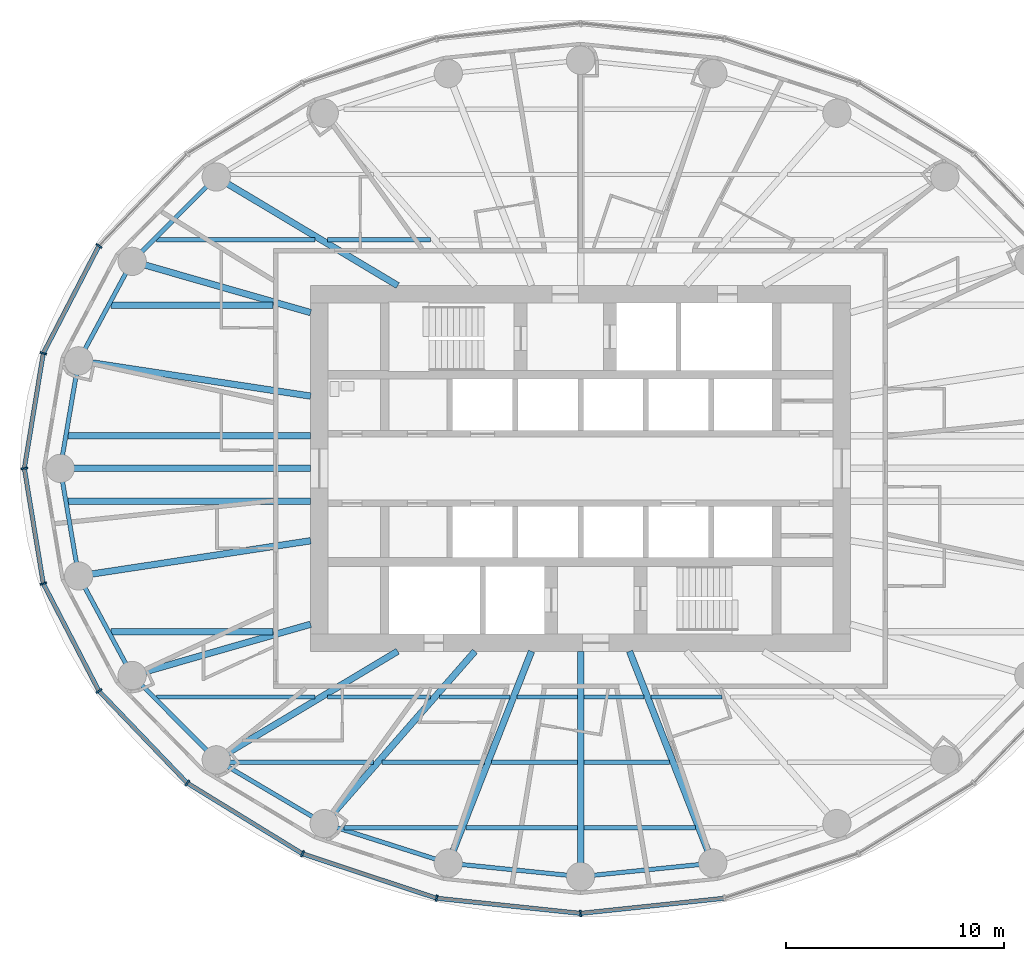
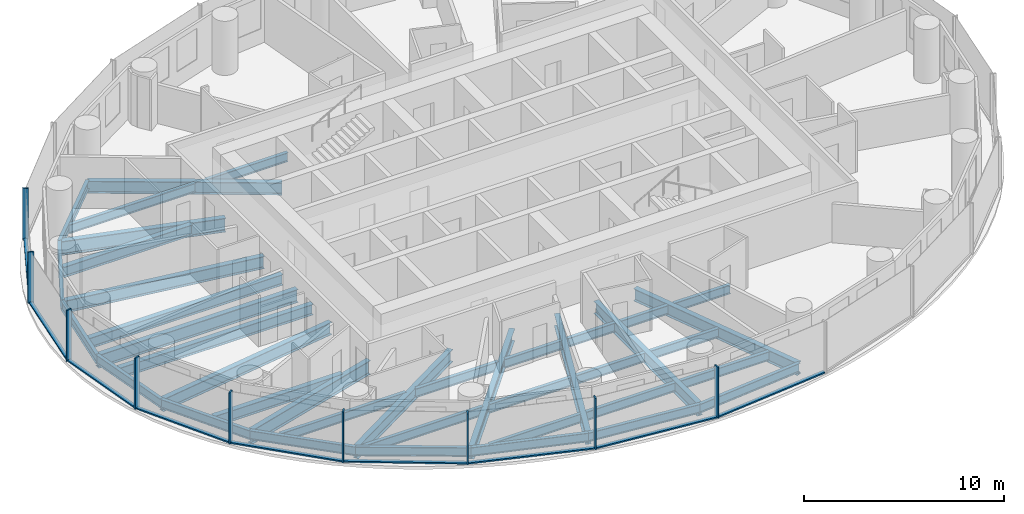
# One storey, part 2 of 14: 40 beams, 18 members, 3 elements without a shape of their own.
"""IFC4 building model written with IfcOpenShell, lengths in metres."""

from ifc_helpers import new_model, si_unit, direction, frame, origin, origin_2d, place, context, subcontext, project, spatial, rectangle, i_section, extrude, material, material_profile, profile_set, type_object, element, aggregate, save


model = new_model("IFC4")

# Units and contexts
model_context = context("Model", 3, precision=1e-05, world=origin(), true_north=direction((0.0, 1.0)))
body_context = subcontext(model_context, "Body", "Model", "MODEL_VIEW")
ifc_project = project(units=[si_unit("LENGTHUNIT", "METRE"), si_unit("AREAUNIT", "SQUARE_METRE"), si_unit("VOLUMEUNIT", "CUBIC_METRE"), si_unit("PLANEANGLEUNIT", "RADIAN"), si_unit("MASSUNIT", "GRAM", prefix="KILO")], contexts=[model_context])

# Site, building, storey
site_placement = place(None, origin())
site = spatial("IfcSite", under=ifc_project, at=site_placement, CompositionType="ELEMENT")
building_placement = place(site_placement, origin())
building = spatial("IfcBuilding", under=site, at=building_placement, Name="Hankou Lantern Tower", CompositionType="ELEMENT")
storey_placement = place(building_placement, frame((0.0, 0.0, 112.199951171875)))
storey = spatial("IfcBuildingStorey", under=building, at=storey_placement, Name="L28", CompositionType="ELEMENT", Elevation=112.199951171875)

# Beams
ifc_material_1 = material(Name="Steel Q355B", Category="steel")
ifc_material_profile_1 = material_profile(ifc_material_1, i_section(OverallWidth=0.199951171875, OverallDepth=0.550048828125, WebThickness=0.010009765625, FlangeThickness=0.01611328125, FilletRadius=0.012939453125, at=origin_2d()), Name="HN550x200x10x16")
ifc_profile_set_1 = profile_set([ifc_material_profile_1], Name="Steel Q355B")
beam_type_1 = type_object("IfcBeamType", Name="EB6 RING BEAM HN550x200x10x16", PredefinedType="SPANDREL", material=ifc_profile_set_1)
beam_1_placement = place(storey_placement, frame((-16.73388671875, 13.38720703125, -0.454833984375), z_axis=(-0.705945468625, -0.708266189599, 0.0), x_axis=(0.708266189599, -0.705945468625, 0.0)))
element("IfcBeam", 1, at=beam_1_placement, inside=storey, type_object=beam_type_1, Name="Ring beam R10-R11 L28", PredefinedType="SPANDREL", context=body_context, shape_type="SweptSolid", body=[
    extrude(i_section(OverallWidth=0.199951171875, OverallDepth=0.550048828125, WebThickness=0.010009765625, FlangeThickness=0.01611328125, FilletRadius=0.012939453125, at=origin_2d()), origin(), (0.0, 0.0, 1.0), 5.470458984375),
])
beam_2_placement = place(storey_placement, frame((-20.595703125, 9.5126953125, -0.454833984375), z_axis=(-0.473824901673, -0.880619079145, 0.0), x_axis=(0.880619079145, -0.473824901673, 0.0)))
element("IfcBeam", 2, at=beam_2_placement, inside=storey, type_object=beam_type_1, Name="Ring beam R11-R12 L28", PredefinedType="SPANDREL", context=body_context, shape_type="SweptSolid", body=[
    extrude(i_section(OverallWidth=0.199951171875, OverallDepth=0.550048828125, WebThickness=0.010009765625, FlangeThickness=0.01611328125, FilletRadius=0.012939453125, at=origin_2d()), origin(), (0.0, 0.0, 1.0), 5.190185546875),
])
for number, where, z_axis, x_axis, name in (
    (3, (-23.054931640625, 4.942138671875, -0.454833984375), (-0.168527258545, -0.985696993567, 0.0), (0.985696993567, -0.168527258545, 0.0), "Ring beam R12-R13 L28"),
    (4, (-23.89990234375, 0.0, -0.454833984375), (0.168527258545, -0.985696993567, 0.0), (0.985696993567, 0.168527258545, 0.0), "Ring beam R13-R14 L28"),
):
    element("IfcBeam", number, at=place(storey_placement, frame(where, z_axis=z_axis, x_axis=x_axis)), inside=storey, type_object=beam_type_1, Name=name, PredefinedType="SPANDREL", context=body_context, shape_type="SweptSolid", body=[
        extrude(i_section(OverallWidth=0.199951171875, OverallDepth=0.550048828125, WebThickness=0.010009765625, FlangeThickness=0.01611328125, FilletRadius=0.012939453125, at=origin_2d()), origin(), (0.0, 0.0, 1.0), 5.013916015625),
    ])
beam_3_placement = place(storey_placement, frame((-23.054931640625, -4.942138671875, -0.454833984375), z_axis=(0.473824901673, -0.880619079145, 0.0), x_axis=(0.880619079145, 0.473824901673, 0.0)))
element("IfcBeam", 5, at=beam_3_placement, inside=storey, type_object=beam_type_1, Name="Ring beam R14-R15 L28", PredefinedType="SPANDREL", context=body_context, shape_type="SweptSolid", body=[
    extrude(i_section(OverallWidth=0.199951171875, OverallDepth=0.550048828125, WebThickness=0.010009765625, FlangeThickness=0.01611328125, FilletRadius=0.012939453125, at=origin_2d()), origin(), (0.0, 0.0, 1.0), 5.190185546875),
])
beam_4_placement = place(storey_placement, frame((-20.595703125, -9.5126953125, -0.454833984375), z_axis=(0.705945468625, -0.708266189599, 0.0), x_axis=(0.708266189599, 0.705945468625, 0.0)))
element("IfcBeam", 6, at=beam_4_placement, inside=storey, type_object=beam_type_1, Name="Ring beam R15-R16 L28", PredefinedType="SPANDREL", context=body_context, shape_type="SweptSolid", body=[
    extrude(i_section(OverallWidth=0.199951171875, OverallDepth=0.550048828125, WebThickness=0.010009765625, FlangeThickness=0.01611328125, FilletRadius=0.012939453125, at=origin_2d()), origin(), (0.0, 0.0, 1.0), 5.470458984375),
])
beam_5_placement = place(storey_placement, frame((-16.73388671875, -13.38720703125, -0.454833984375), z_axis=(0.860988974188, -0.508623619513, 0.0), x_axis=(0.508623619513, 0.860988974188, 0.0)))
element("IfcBeam", 7, at=beam_5_placement, inside=storey, type_object=beam_type_1, Name="Ring beam R16-R17 L28", PredefinedType="SPANDREL", context=body_context, shape_type="SweptSolid", body=[
    extrude(i_section(OverallWidth=0.199951171875, OverallDepth=0.550048828125, WebThickness=0.010009765625, FlangeThickness=0.01611328125, FilletRadius=0.012939453125, at=origin_2d()), origin(), (0.0, 0.0, 1.0), 5.759033203125),
])
beam_6_placement = place(storey_placement, frame((-11.775390625, -16.31640625, -0.454833984375), z_axis=(0.952731090451, -0.303814860215, 0.0), x_axis=(0.303814860215, 0.952731090451, 0.0)))
element("IfcBeam", 8, at=beam_6_placement, inside=storey, type_object=beam_type_1, Name="Ring beam R17-R18 L28", PredefinedType="SPANDREL", context=body_context, shape_type="SweptSolid", body=[
    extrude(i_section(OverallWidth=0.199951171875, OverallDepth=0.550048828125, WebThickness=0.010009765625, FlangeThickness=0.01611328125, FilletRadius=0.012939453125, at=origin_2d()), origin(), (0.0, 0.0, 1.0), 5.984375),
])
for number, where, z_axis, x_axis, name in (
    (9, (-6.073974609375, -18.134521484375, -0.454833984375), (0.994905271594, -0.100814188259, 0.0), (0.100814188259, 0.994905271594, 0.0), "Ring beam R18-R19 L28"),
    (10, (0.0, -18.75, -0.454833984375), (0.994905271594, 0.100814188259, 0.0), (-0.100814188259, 0.994905271594, 0.0), "Ring beam R19-R20 L28"),
):
    element("IfcBeam", number, at=place(storey_placement, frame(where, z_axis=z_axis, x_axis=x_axis)), inside=storey, type_object=beam_type_1, Name=name, PredefinedType="SPANDREL", context=body_context, shape_type="SweptSolid", body=[
        extrude(i_section(OverallWidth=0.199951171875, OverallDepth=0.550048828125, WebThickness=0.010009765625, FlangeThickness=0.01611328125, FilletRadius=0.012939453125, at=origin_2d()), origin(), (0.0, 0.0, 1.0), 6.10498046875),
    ])

# Curtain wall, members
ifc_material_2 = material(Name="Glass, dark grey tinted laminated", Category="glass")
curtain_wall_type = type_object("IfcCurtainWallType", Name="CWB OUTER SKIN MID-RISE", PredefinedType="USERDEFINED", material=ifc_material_2)
curtain_wall_1_placement = place(storey_placement, origin())
curtain_wall_1 = element("IfcCurtainWall", 11, at=curtain_wall_1_placement, inside=storey, type_object=curtain_wall_type, Name="CWB L28 OS2", ObjectType="OUTER SKIN MID-RISE", PredefinedType="USERDEFINED")
ifc_material_3 = material(Name="Aluminium, black anodised", Category="aluminium")
ifc_material_profile_2 = material_profile(ifc_material_3, rectangle(XDim=0.080078125, YDim=0.300048828125, at=origin_2d()), Name="MU1 80X300")
ifc_profile_set_2 = profile_set([ifc_material_profile_2], Name="Aluminium, black anodised")
member_type_1 = type_object("IfcMemberType", Name="MU1 OUTER SKIN MULLION 80X300", PredefinedType="MULLION", material=ifc_profile_set_2)
member_1_placement = place(storey_placement, frame((-22.126953125, 10.219970703125, 0.0), z_axis=(0.0, 0.0, 1.0), x_axis=(-0.585205735974, -0.810884854084, 0.0)))
member_1 = element("IfcMember", 12, at=member_1_placement, type_object=member_type_1, Name="CWB mullion 5", PredefinedType="MULLION", context=body_context, shape_type="SweptSolid", body=[
    extrude(rectangle(XDim=0.080078125, YDim=0.300048828125, at=origin_2d()), origin(), (0.0, 0.0, 1.0), 3.1201171875),
])
member_2_placement = place(storey_placement, frame((-24.679443359375, 5.290283203125, 0.0), z_axis=(0.0, 0.0, 1.0), x_axis=(-0.317595577365, -0.94822626479, 0.0)))
member_2 = element("IfcMember", 13, at=member_2_placement, type_object=member_type_1, Name="CWB mullion 6", PredefinedType="MULLION", context=body_context, shape_type="SweptSolid", body=[
    extrude(rectangle(XDim=0.080078125, YDim=0.300048828125, at=origin_2d()), origin(), (0.0, 0.0, 1.0), 3.1201171875),
])

curtain_wall_2_placement = place(storey_placement, origin())
curtain_wall_2 = element("IfcCurtainWall", 14, at=curtain_wall_2_placement, inside=storey, type_object=curtain_wall_type, Name="CWB L28 OS3", ObjectType="OUTER SKIN MID-RISE", PredefinedType="USERDEFINED")
member_3_placement = place(storey_placement, frame((-25.550048828125, 0.0, 0.0), z_axis=(0.0, 0.0, 1.0), x_axis=(0.162381515188, -0.986728049427, 0.0)))
member_3 = element("IfcMember", 15, at=member_3_placement, type_object=member_type_1, Name="CWB mullion 1", PredefinedType="MULLION", context=body_context, shape_type="SweptSolid", body=[
    extrude(rectangle(XDim=0.080078125, YDim=0.300048828125, at=origin_2d()), origin(), (0.0, 0.0, 1.0), 3.1201171875),
])
member_4_placement = place(storey_placement, frame((-24.679443359375, -5.290283203125, 0.0), z_axis=(0.0, 0.0, 1.0), x_axis=(0.317595577365, -0.94822626479, 0.0)))
member_4 = element("IfcMember", 16, at=member_4_placement, type_object=member_type_1, Name="CWB mullion 2", PredefinedType="MULLION", context=body_context, shape_type="SweptSolid", body=[
    extrude(rectangle(XDim=0.080078125, YDim=0.300048828125, at=origin_2d()), origin(), (0.0, 0.0, 1.0), 3.1201171875),
])
member_5_placement = place(storey_placement, frame((-22.126953125, -10.219970703125, 0.0), z_axis=(0.0, 0.0, 1.0), x_axis=(0.585205735974, -0.810884854084, 0.0)))
member_5 = element("IfcMember", 17, at=member_5_placement, type_object=member_type_1, Name="CWB mullion 3", PredefinedType="MULLION", context=body_context, shape_type="SweptSolid", body=[
    extrude(rectangle(XDim=0.080078125, YDim=0.300048828125, at=origin_2d()), origin(), (0.0, 0.0, 1.0), 3.1201171875),
])
member_6_placement = place(storey_placement, frame((-18.066650390625, -14.453369140625, 0.0), z_axis=(0.0, 0.0, 1.0), x_axis=(0.780868809444, -0.624695047553, 0.0)))
member_6 = element("IfcMember", 18, at=member_6_placement, type_object=member_type_1, Name="CWB mullion 4", PredefinedType="MULLION", context=body_context, shape_type="SweptSolid", body=[
    extrude(rectangle(XDim=0.080078125, YDim=0.300048828125, at=origin_2d()), origin(), (0.0, 0.0, 1.0), 3.1201171875),
])
member_7_placement = place(storey_placement, frame((-12.77490234375, -17.70166015625, 0.0), z_axis=(0.0, 0.0, 1.0), x_axis=(0.907841299004, -0.419313934686, 0.0)))
member_7 = element("IfcMember", 19, at=member_7_placement, type_object=member_type_1, Name="CWB mullion 5", PredefinedType="MULLION", context=body_context, shape_type="SweptSolid", body=[
    extrude(rectangle(XDim=0.080078125, YDim=0.300048828125, at=origin_2d()), origin(), (0.0, 0.0, 1.0), 3.1201171875),
])
member_8_placement = place(storey_placement, frame((-6.61279296875, -19.743408203125, 0.0), z_axis=(0.0, 0.0, 1.0), x_axis=(0.977787659625, -0.209597931016, 0.0)))
member_8 = element("IfcMember", 20, at=member_8_placement, type_object=member_type_1, Name="CWB mullion 6", PredefinedType="MULLION", context=body_context, shape_type="SweptSolid", body=[
    extrude(rectangle(XDim=0.080078125, YDim=0.300048828125, at=origin_2d()), origin(), (0.0, 0.0, 1.0), 3.1201171875),
])

# Curtain wall, member
curtain_wall_3_placement = place(storey_placement, origin())
curtain_wall_3 = element("IfcCurtainWall", 21, at=curtain_wall_3_placement, inside=storey, type_object=curtain_wall_type, Name="CWB L28 OS4", ObjectType="OUTER SKIN MID-RISE", PredefinedType="USERDEFINED")
member_9_placement = place(storey_placement, frame((0.0, -20.43994140625, 0.0), z_axis=(0.0, 0.0, 1.0), x_axis=(0.994499359107, 0.104742659579, 0.0)))
member_9 = element("IfcMember", 22, at=member_9_placement, type_object=member_type_1, Name="CWB mullion 1", PredefinedType="MULLION", context=body_context, shape_type="SweptSolid", body=[
    extrude(rectangle(XDim=0.080078125, YDim=0.300048828125, at=origin_2d()), origin(), (0.0, 0.0, 1.0), 3.1201171875),
])

# Beams
ifc_material_4 = material(Name="Steel Q355B", Category="steel")
ifc_material_profile_3 = material_profile(ifc_material_4, i_section(OverallWidth=0.300048828125, OverallDepth=0.75, WebThickness=0.012939453125, FlangeThickness=0.02392578125, FilletRadius=0.01806640625, at=origin_2d()), Name="HN750x300x13x24")
ifc_profile_set_3 = profile_set([ifc_material_profile_3], Name="Steel Q355B")
beam_type_2 = type_object("IfcBeamType", Name="RB10 RADIAL BEAM HN750x300x13x24", PredefinedType="BEAM", material=ifc_profile_set_3)
beam_7_placement = place(storey_placement, frame((-8.39990234375, 8.39990234375, -0.554931640625), z_axis=(-0.858086776551, 0.513504706802, 0.0), x_axis=(-0.513504706802, -0.858086776551, 0.0)))
element("IfcBeam", 23, at=beam_7_placement, inside=storey, type_object=beam_type_2, Name="Radial beam R10 L28", PredefinedType="BEAM", context=body_context, shape_type="SweptSolid", body=[
    extrude(i_section(OverallWidth=0.300048828125, OverallDepth=0.75, WebThickness=0.012939453125, FlangeThickness=0.02392578125, FilletRadius=0.01806640625, at=origin_2d()), origin(), (0.0, 0.0, 1.0), 9.71240234375),
])
for number, where, z_axis, x_axis, name in (
    (24, (-12.39990234375, 3.322509765625, -0.554931640625), (-0.988643506875, 0.150279793429, 0.0), (-0.150279793429, -0.988643506875, 0.0), "Radial beam R12 L28"),
    (25, (-12.39990234375, -3.322509765625, -0.554931640625), (-0.988643506875, -0.150279793429, 0.0), (0.150279793429, -0.988643506875, 0.0), "Radial beam R14 L28"),
):
    element("IfcBeam", number, at=place(storey_placement, frame(where, z_axis=z_axis, x_axis=x_axis)), inside=storey, type_object=beam_type_2, Name=name, PredefinedType="BEAM", context=body_context, shape_type="SweptSolid", body=[
        extrude(i_section(OverallWidth=0.300048828125, OverallDepth=0.75, WebThickness=0.012939453125, FlangeThickness=0.02392578125, FilletRadius=0.01806640625, at=origin_2d()), origin(), (0.0, 0.0, 1.0), 10.77734375),
    ])
beam_8_placement = place(storey_placement, frame((-8.39990234375, -8.39990234375, -0.554931640625), z_axis=(-0.858086776551, -0.513504706802, 0.0), x_axis=(0.513504706802, -0.858086776551, 0.0)))
element("IfcBeam", 26, at=beam_8_placement, inside=storey, type_object=beam_type_2, Name="Radial beam R16 L28", PredefinedType="BEAM", context=body_context, shape_type="SweptSolid", body=[
    extrude(i_section(OverallWidth=0.300048828125, OverallDepth=0.75, WebThickness=0.012939453125, FlangeThickness=0.02392578125, FilletRadius=0.01806640625, at=origin_2d()), origin(), (0.0, 0.0, 1.0), 9.71240234375),
])
beam_9_placement = place(storey_placement, frame((-4.849853515625, -8.39990234375, -0.554931640625), z_axis=(-0.658429014446, -0.752642832249, 0.0), x_axis=(0.752642832249, -0.658429014446, 0.0)))
element("IfcBeam", 27, at=beam_9_placement, inside=storey, type_object=beam_type_2, Name="Radial beam R17 L28", PredefinedType="BEAM", context=body_context, shape_type="SweptSolid", body=[
    extrude(i_section(OverallWidth=0.300048828125, OverallDepth=0.75, WebThickness=0.012939453125, FlangeThickness=0.02392578125, FilletRadius=0.01806640625, at=origin_2d()), origin(), (0.0, 0.0, 1.0), 10.518310546875),
])
beam_10_placement = place(storey_placement, frame((-2.250732421875, -8.39990234375, -0.554931640625), z_axis=(-0.365563535437, -0.930786388791, 0.0), x_axis=(0.930786388791, -0.365563535437, 0.0)))
element("IfcBeam", 28, at=beam_10_placement, inside=storey, type_object=beam_type_2, Name="Radial beam R18 L28", PredefinedType="BEAM", context=body_context, shape_type="SweptSolid", body=[
    extrude(i_section(OverallWidth=0.300048828125, OverallDepth=0.75, WebThickness=0.012939453125, FlangeThickness=0.02392578125, FilletRadius=0.01806640625, at=origin_2d()), origin(), (0.0, 0.0, 1.0), 10.45849609375),
])
beam_11_placement = place(storey_placement, frame((0.0, -8.39990234375, -0.554931640625), z_axis=(0.0, -1.0, 0.0), x_axis=(1.0, 0.0, 0.0)))
element("IfcBeam", 29, at=beam_11_placement, inside=storey, type_object=beam_type_2, Name="Radial beam R19 L28", PredefinedType="BEAM", context=body_context, shape_type="SweptSolid", body=[
    extrude(i_section(OverallWidth=0.300048828125, OverallDepth=0.75, WebThickness=0.012939453125, FlangeThickness=0.02392578125, FilletRadius=0.01806640625, at=origin_2d()), origin(), (0.0, 0.0, 1.0), 10.35009765625),
])
beam_12_placement = place(storey_placement, frame((2.250732421875, -8.39990234375, -0.554931640625), z_axis=(0.365563535437, -0.930786388791, 0.0), x_axis=(0.930786388791, 0.365563535437, 0.0)))
element("IfcBeam", 30, at=beam_12_placement, inside=storey, type_object=beam_type_2, Name="Radial beam R20 L28", PredefinedType="BEAM", context=body_context, shape_type="SweptSolid", body=[
    extrude(i_section(OverallWidth=0.300048828125, OverallDepth=0.75, WebThickness=0.012939453125, FlangeThickness=0.02392578125, FilletRadius=0.01806640625, at=origin_2d()), origin(), (0.0, 0.0, 1.0), 10.45849609375),
])
ifc_material_5 = material(Name="Steel Q355B", Category="steel")
ifc_material_profile_4 = material_profile(ifc_material_5, i_section(OverallWidth=0.300048828125, OverallDepth=0.800048828125, WebThickness=0.013916015625, FlangeThickness=0.02587890625, FilletRadius=0.01806640625, at=origin_2d()), Name="HN800x300x14x26")
ifc_profile_set_4 = profile_set([ifc_material_profile_4], Name="Steel Q355B")
beam_type_3 = type_object("IfcBeamType", Name="RB11 RADIAL BEAM HN800x300x14x26", PredefinedType="BEAM", material=ifc_profile_set_4)
beam_13_placement = place(storey_placement, frame((-12.39990234375, 0.0, -0.579833984375), z_axis=(-1.0, 0.0, 0.0), x_axis=(0.0, -1.0, 0.0)))
element("IfcBeam", 31, at=beam_13_placement, inside=storey, type_object=beam_type_3, Name="Radial beam R13 L28", PredefinedType="BEAM", context=body_context, shape_type="SweptSolid", body=[
    extrude(i_section(OverallWidth=0.300048828125, OverallDepth=0.800048828125, WebThickness=0.013916015625, FlangeThickness=0.02587890625, FilletRadius=0.01806640625, at=origin_2d()), origin(), (0.0, 0.0, 1.0), 11.5),
])
ifc_material_6 = material(Name="Steel Q355B", Category="steel")
ifc_material_profile_5 = material_profile(ifc_material_6, i_section(OverallWidth=0.300048828125, OverallDepth=0.85009765625, WebThickness=0.01611328125, FlangeThickness=0.027099609375, FilletRadius=0.01806640625, at=origin_2d()), Name="HN850x300x16x27")
ifc_profile_set_5 = profile_set([ifc_material_profile_5], Name="Steel Q355B")
beam_type_4 = type_object("IfcBeamType", Name="RB12 RADIAL BEAM HN850x300x16x27", PredefinedType="BEAM", material=ifc_profile_set_5)
for number, where, z_axis, x_axis, name in (
    (32, (-12.39990234375, 7.1591796875, -0.60498046875), (-0.961155741911, 0.276006593745, 0.0), (-0.276006593745, -0.961155741911, 0.0), "Radial beam R11 L28"),
    (33, (-12.39990234375, -7.1591796875, -0.60498046875), (-0.961155741911, -0.276006593745, 0.0), (0.276006593745, -0.961155741911, 0.0), "Radial beam R15 L28"),
):
    element("IfcBeam", number, at=place(storey_placement, frame(where, z_axis=z_axis, x_axis=x_axis)), inside=storey, type_object=beam_type_4, Name=name, PredefinedType="BEAM", context=body_context, shape_type="SweptSolid", body=[
        extrude(i_section(OverallWidth=0.300048828125, OverallDepth=0.85009765625, WebThickness=0.01611328125, FlangeThickness=0.027099609375, FilletRadius=0.01806640625, at=origin_2d()), origin(), (0.0, 0.0, 1.0), 8.527099609375),
    ])
ifc_material_7 = material(Name="Steel Q355B", Category="steel")
ifc_material_profile_6 = material_profile(ifc_material_7, i_section(OverallWidth=0.199951171875, OverallDepth=0.550048828125, WebThickness=0.010009765625, FlangeThickness=0.01611328125, FilletRadius=0.012939453125, at=origin_2d()), Name="HN550x200x10x16")
ifc_profile_set_6 = profile_set([ifc_material_profile_6], Name="Steel Q355B")
beam_type_5 = type_object("IfcBeamType", Name="SB6 SECONDARY BEAM HN550x200x10x16", PredefinedType="JOIST", material=ifc_profile_set_6)
beam_14_placement = place(storey_placement, frame((-10.8701171875, -16.5, -0.454833984375), z_axis=(1.0, 0.0, 0.0), x_axis=(0.0, 1.0, 0.0)))
element("IfcBeam", 34, at=beam_14_placement, inside=storey, type_object=beam_type_5, Name="Floor joist J001 L28", PredefinedType="JOIST", context=body_context, shape_type="SweptSolid", body=[
    extrude(i_section(OverallWidth=0.199951171875, OverallDepth=0.550048828125, WebThickness=0.010009765625, FlangeThickness=0.01611328125, FilletRadius=0.012939453125, at=origin_2d()), origin(), (0.0, 0.0, 1.0), 5.27685546875),
])
for number, where, z_axis, x_axis, name in (
    (35, (-5.270751953125, -16.5, -0.454833984375), (1.0, 0.0, 0.0), (0.0, 1.0, 0.0), "Floor joist J002 L28"),
    (36, (0.14990234375, -16.5, -0.454833984375), (1.0, 0.0, 0.0), (0.0, 1.0, 0.0), "Floor joist J003 L28"),
):
    element("IfcBeam", number, at=place(storey_placement, frame(where, z_axis=z_axis, x_axis=x_axis)), inside=storey, type_object=beam_type_5, Name=name, PredefinedType="JOIST", context=body_context, shape_type="SweptSolid", body=[
        extrude(i_section(OverallWidth=0.199951171875, OverallDepth=0.550048828125, WebThickness=0.010009765625, FlangeThickness=0.01611328125, FilletRadius=0.012939453125, at=origin_2d()), origin(), (0.0, 0.0, 1.0), 5.120849609375),
    ])
beam_15_placement = place(storey_placement, frame((-16.34619140625, -13.5, -0.454833984375), z_axis=(1.0, 0.0, 0.0), x_axis=(0.0, 1.0, 0.0)))
element("IfcBeam", 37, at=beam_15_placement, inside=storey, type_object=beam_type_5, Name="Floor joist J005 L28", PredefinedType="JOIST", context=body_context, shape_type="SweptSolid", body=[
    extrude(i_section(OverallWidth=0.199951171875, OverallDepth=0.550048828125, WebThickness=0.010009765625, FlangeThickness=0.01611328125, FilletRadius=0.012939453125, at=origin_2d()), origin(), (0.0, 0.0, 1.0), 6.83544921875),
])
beam_16_placement = place(storey_placement, frame((-9.112060546875, -13.5, -0.454833984375), z_axis=(1.0, 0.0, 0.0), x_axis=(0.0, 1.0, 0.0)))
element("IfcBeam", 38, at=beam_16_placement, inside=storey, type_object=beam_type_5, Name="Floor joist J006 L28", PredefinedType="JOIST", context=body_context, shape_type="SweptSolid", body=[
    extrude(i_section(OverallWidth=0.199951171875, OverallDepth=0.550048828125, WebThickness=0.010009765625, FlangeThickness=0.01611328125, FilletRadius=0.012939453125, at=origin_2d()), origin(), (0.0, 0.0, 1.0), 4.697021484375),
])
for number, where, z_axis, x_axis, name in (
    (39, (-4.092529296875, -13.5, -0.454833984375), (1.0, 0.0, 0.0), (0.0, 1.0, 0.0), "Floor joist J007 L28"),
    (40, (0.14990234375, -13.5, -0.454833984375), (1.0, 0.0, 0.0), (0.0, 1.0, 0.0), "Floor joist J008 L28"),
):
    element("IfcBeam", number, at=place(storey_placement, frame(where, z_axis=z_axis, x_axis=x_axis)), inside=storey, type_object=beam_type_5, Name=name, PredefinedType="JOIST", context=body_context, shape_type="SweptSolid", body=[
        extrude(i_section(OverallWidth=0.199951171875, OverallDepth=0.550048828125, WebThickness=0.010009765625, FlangeThickness=0.01611328125, FilletRadius=0.012939453125, at=origin_2d()), origin(), (0.0, 0.0, 1.0), 3.942626953125),
    ])
beam_17_placement = place(storey_placement, frame((-19.470458984375, -10.5, -0.454833984375), z_axis=(1.0, 0.0, 0.0), x_axis=(0.0, 1.0, 0.0)))
element("IfcBeam", 41, at=beam_17_placement, inside=storey, type_object=beam_type_5, Name="Floor joist J011 L28", PredefinedType="JOIST", context=body_context, shape_type="SweptSolid", body=[
    extrude(i_section(OverallWidth=0.199951171875, OverallDepth=0.550048828125, WebThickness=0.010009765625, FlangeThickness=0.01611328125, FilletRadius=0.012939453125, at=origin_2d()), origin(), (0.0, 0.0, 1.0), 7.26904296875),
])
beam_18_placement = place(storey_placement, frame((-11.6171875, -10.5, -0.454833984375), z_axis=(1.0, 0.0, 0.0), x_axis=(0.0, 1.0, 0.0)))
element("IfcBeam", 42, at=beam_18_placement, inside=storey, type_object=beam_type_5, Name="Floor joist J012 L28", PredefinedType="JOIST", context=body_context, shape_type="SweptSolid", body=[
    extrude(i_section(OverallWidth=0.199951171875, OverallDepth=0.550048828125, WebThickness=0.010009765625, FlangeThickness=0.01611328125, FilletRadius=0.012939453125, at=origin_2d()), origin(), (0.0, 0.0, 1.0), 4.73095703125),
])
beam_19_placement = place(storey_placement, frame((-6.487548828125, -10.5, -0.454833984375), z_axis=(1.0, 0.0, 0.0), x_axis=(0.0, 1.0, 0.0)))
element("IfcBeam", 43, at=beam_19_placement, inside=storey, type_object=beam_type_5, Name="Floor joist J013 L28", PredefinedType="JOIST", context=body_context, shape_type="SweptSolid", body=[
    extrude(i_section(OverallWidth=0.199951171875, OverallDepth=0.550048828125, WebThickness=0.010009765625, FlangeThickness=0.01611328125, FilletRadius=0.012939453125, at=origin_2d()), origin(), (0.0, 0.0, 1.0), 3.2509765625),
])
for number, where, z_axis, x_axis, name in (
    (44, (-2.914306640625, -10.5, -0.454833984375), (1.0, 0.0, 0.0), (0.0, 1.0, 0.0), "Floor joist J014 L28"),
    (45, (0.14990234375, -10.5, -0.454833984375), (1.0, 0.0, 0.0), (0.0, 1.0, 0.0), "Floor joist J015 L28"),
):
    element("IfcBeam", number, at=place(storey_placement, frame(where, z_axis=z_axis, x_axis=x_axis)), inside=storey, type_object=beam_type_5, Name=name, PredefinedType="JOIST", context=body_context, shape_type="SweptSolid", body=[
        extrude(i_section(OverallWidth=0.199951171875, OverallDepth=0.550048828125, WebThickness=0.010009765625, FlangeThickness=0.01611328125, FilletRadius=0.012939453125, at=origin_2d()), origin(), (0.0, 0.0, 1.0), 2.764404296875),
    ])
beam_20_placement = place(storey_placement, frame((3.236572265625, -10.5, -0.454833984375), z_axis=(1.0, 0.0, 0.0), x_axis=(0.0, 1.0, 0.0)))
element("IfcBeam", 46, at=beam_20_placement, inside=storey, type_object=beam_type_5, Name="Floor joist J016 L28", PredefinedType="JOIST", context=body_context, shape_type="SweptSolid", body=[
    extrude(i_section(OverallWidth=0.199951171875, OverallDepth=0.550048828125, WebThickness=0.010009765625, FlangeThickness=0.01611328125, FilletRadius=0.012939453125, at=origin_2d()), origin(), (0.0, 0.0, 1.0), 3.2509765625),
])
beam_21_placement = place(storey_placement, frame((-19.470458984375, 10.5, -0.454833984375), z_axis=(1.0, 0.0, 0.0), x_axis=(0.0, 1.0, 0.0)))
element("IfcBeam", 47, at=beam_21_placement, inside=storey, type_object=beam_type_5, Name="Floor joist J035 L28", PredefinedType="JOIST", context=body_context, shape_type="SweptSolid", body=[
    extrude(i_section(OverallWidth=0.199951171875, OverallDepth=0.550048828125, WebThickness=0.010009765625, FlangeThickness=0.01611328125, FilletRadius=0.012939453125, at=origin_2d()), origin(), (0.0, 0.0, 1.0), 7.26904296875),
])
beam_22_placement = place(storey_placement, frame((-11.6171875, 10.5, -0.454833984375), z_axis=(1.0, 0.0, 0.0), x_axis=(0.0, 1.0, 0.0)))
element("IfcBeam", 48, at=beam_22_placement, inside=storey, type_object=beam_type_5, Name="Floor joist J036 L28", PredefinedType="JOIST", context=body_context, shape_type="SweptSolid", body=[
    extrude(i_section(OverallWidth=0.199951171875, OverallDepth=0.550048828125, WebThickness=0.010009765625, FlangeThickness=0.01611328125, FilletRadius=0.012939453125, at=origin_2d()), origin(), (0.0, 0.0, 1.0), 4.73095703125),
])
ifc_material_8 = material(Name="Steel Q355B", Category="steel")
ifc_material_profile_7 = material_profile(ifc_material_8, i_section(OverallWidth=0.300048828125, OverallDepth=0.64990234375, WebThickness=0.010986328125, FlangeThickness=0.01708984375, FilletRadius=0.01806640625, at=origin_2d()), Name="HN650x300x11x17")
ifc_profile_set_7 = profile_set([ifc_material_profile_7], Name="Steel Q355B")
beam_type_6 = type_object("IfcBeamType", Name="SB8 SECONDARY BEAM HN650x300x11x17", PredefinedType="JOIST", material=ifc_profile_set_7)
beam_23_placement = place(storey_placement, frame((-21.56494140625, -7.5, -0.5048828125), z_axis=(1.0, 0.0, 0.0), x_axis=(0.0, 1.0, 0.0)))
element("IfcBeam", 49, at=beam_23_placement, inside=storey, type_object=beam_type_6, Name="Floor joist J019 L28", PredefinedType="JOIST", context=body_context, shape_type="SweptSolid", body=[
    extrude(i_section(OverallWidth=0.300048828125, OverallDepth=0.64990234375, WebThickness=0.010986328125, FlangeThickness=0.01708984375, FilletRadius=0.01806640625, at=origin_2d()), origin(), (0.0, 0.0, 1.0), 7.4345703125),
])
for number, where, z_axis, x_axis, name in (
    (50, (-23.5419921875, -1.5, -0.5048828125), (1.0, 0.0, 0.0), (0.0, 1.0, 0.0), "Floor joist J025 L28"),
    (51, (-23.5419921875, 1.5, -0.5048828125), (1.0, 0.0, 0.0), (0.0, 1.0, 0.0), "Floor joist J027 L28"),
):
    element("IfcBeam", number, at=place(storey_placement, frame(where, z_axis=z_axis, x_axis=x_axis)), inside=storey, type_object=beam_type_6, Name=name, PredefinedType="JOIST", context=body_context, shape_type="SweptSolid", body=[
        extrude(i_section(OverallWidth=0.300048828125, OverallDepth=0.64990234375, WebThickness=0.010986328125, FlangeThickness=0.01708984375, FilletRadius=0.01806640625, at=origin_2d()), origin(), (0.0, 0.0, 1.0), 11.14208984375),
    ])
beam_24_placement = place(storey_placement, frame((-21.56494140625, 7.5, -0.5048828125), z_axis=(1.0, 0.0, 0.0), x_axis=(0.0, 1.0, 0.0)))
element("IfcBeam", 52, at=beam_24_placement, inside=storey, type_object=beam_type_6, Name="Floor joist J033 L28", PredefinedType="JOIST", context=body_context, shape_type="SweptSolid", body=[
    extrude(i_section(OverallWidth=0.300048828125, OverallDepth=0.64990234375, WebThickness=0.010986328125, FlangeThickness=0.01708984375, FilletRadius=0.01806640625, at=origin_2d()), origin(), (0.0, 0.0, 1.0), 7.4345703125),
])

# Member
ifc_material_9 = material(Name="Aluminium, black anodised", Category="aluminium")
ifc_material_profile_8 = material_profile(ifc_material_9, rectangle(XDim=0.199951171875, YDim=0.080078125, at=origin_2d()), Name="TR1 200X80")
ifc_profile_set_8 = profile_set([ifc_material_profile_8], Name="Aluminium, black anodised")
member_type_2 = type_object("IfcMemberType", Name="TR1 OUTER SKIN TRANSOM 200X80", PredefinedType="USERDEFINED", material=ifc_profile_set_8)
member_10_placement = place(storey_placement, frame((-22.145263671875, 10.1845703125, 0.0400390625), z_axis=(-0.459805240543, -0.888019786249, 0.0), x_axis=(0.888019786249, -0.459805240543, 0.0)))
member_10 = element("IfcMember", 53, at=member_10_placement, type_object=member_type_2, Name="CWB transom 5", ObjectType="TRANSOM", PredefinedType="USERDEFINED", context=body_context, shape_type="SweptSolid", body=[
    extrude(rectangle(XDim=0.199951171875, YDim=0.080078125, at=origin_2d()), origin(), (0.0, 0.0, 1.0), 5.4716796875),
])

member_11_placement = place(storey_placement, frame((-24.685791015625, 5.250732421875, 0.0400390625), z_axis=(-0.162397124076, -0.986725480614, 0.0), x_axis=(0.986725480614, -0.162397124076, 0.0)))
member_11 = element("IfcMember", 54, at=member_11_placement, type_object=member_type_2, Name="CWB transom 6", ObjectType="TRANSOM", PredefinedType="USERDEFINED", context=body_context, shape_type="SweptSolid", body=[
    extrude(rectangle(XDim=0.199951171875, YDim=0.080078125, at=origin_2d()), origin(), (0.0, 0.0, 1.0), 5.28125),
])

aggregate(curtain_wall_1, [member_1, member_2, member_10, member_11])

member_12_placement = place(storey_placement, frame((-25.54345703125, -0.03955078125, 0.0400390625), z_axis=(0.162397124076, -0.986725480614, 0.0), x_axis=(0.986725480614, 0.162397124076, 0.0)))
member_12 = element("IfcMember", 55, at=member_12_placement, type_object=member_type_2, Name="CWB transom 1", ObjectType="TRANSOM", PredefinedType="USERDEFINED", context=body_context, shape_type="SweptSolid", body=[
    extrude(rectangle(XDim=0.199951171875, YDim=0.080078125, at=origin_2d()), origin(), (0.0, 0.0, 1.0), 5.28125),
])

member_13_placement = place(storey_placement, frame((-24.6611328125, -5.32568359375, 0.0400390625), z_axis=(0.459805240543, -0.888019786249, 0.0), x_axis=(0.888019786249, 0.459805240543, 0.0)))
member_13 = element("IfcMember", 56, at=member_13_placement, type_object=member_type_2, Name="CWB transom 2", ObjectType="TRANSOM", PredefinedType="USERDEFINED", context=body_context, shape_type="SweptSolid", body=[
    extrude(rectangle(XDim=0.199951171875, YDim=0.080078125, at=origin_2d()), origin(), (0.0, 0.0, 1.0), 5.4716796875),
])

member_14_placement = place(storey_placement, frame((-22.099365234375, -10.248779296875, 0.0400390625), z_axis=(0.692226977748, -0.721679853729, 0.0), x_axis=(0.721679853729, 0.692226977748, 0.0)))
member_14 = element("IfcMember", 57, at=member_14_placement, type_object=member_type_2, Name="CWB transom 3", ObjectType="TRANSOM", PredefinedType="USERDEFINED", context=body_context, shape_type="SweptSolid", body=[
    extrude(rectangle(XDim=0.199951171875, YDim=0.080078125, at=origin_2d()), origin(), (0.0, 0.0, 1.0), 5.785888671875),
])

member_15_placement = place(storey_placement, frame((-18.032470703125, -14.47412109375, 0.0400390625), z_axis=(0.852229492169, -0.523168130411, 0.0), x_axis=(0.523168130411, 0.852229492169, 0.0)))
member_15 = element("IfcMember", 58, at=member_15_placement, type_object=member_type_2, Name="CWB transom 4", ObjectType="TRANSOM", PredefinedType="USERDEFINED", context=body_context, shape_type="SweptSolid", body=[
    extrude(rectangle(XDim=0.199951171875, YDim=0.080078125, at=origin_2d()), origin(), (0.0, 0.0, 1.0), 6.129150390625),
])

member_16_placement = place(storey_placement, frame((-12.737060546875, -17.714111328125, 0.0400390625), z_axis=(0.949237765745, -0.314559476225, 0.0), x_axis=(0.314559476225, 0.949237765745, 0.0)))
member_16 = element("IfcMember", 59, at=member_16_placement, type_object=member_type_2, Name="CWB transom 5", ObjectType="TRANSOM", PredefinedType="USERDEFINED", context=body_context, shape_type="SweptSolid", body=[
    extrude(rectangle(XDim=0.199951171875, YDim=0.080078125, at=origin_2d()), origin(), (0.0, 0.0, 1.0), 6.41162109375),
])

member_17_placement = place(storey_placement, frame((-6.572998046875, -19.747802734375, 0.0400390625), z_axis=(0.994500972001, -0.10472734451, 0.0), x_axis=(0.10472734451, 0.994500972001, 0.0)))
member_17 = element("IfcMember", 60, at=member_17_placement, type_object=member_type_2, Name="CWB transom 6", ObjectType="TRANSOM", PredefinedType="USERDEFINED", context=body_context, shape_type="SweptSolid", body=[
    extrude(rectangle(XDim=0.199951171875, YDim=0.080078125, at=origin_2d()), origin(), (0.0, 0.0, 1.0), 6.5693359375),
])

aggregate(curtain_wall_2, [member_3, member_4, member_5, member_6, member_7, member_8, member_12, member_13, member_14, member_15, member_16, member_17])

member_18_placement = place(storey_placement, frame((0.039794921875, -20.435791015625, 0.0400390625), z_axis=(0.994500972001, 0.10472734451, 0.0), x_axis=(-0.10472734451, 0.994500972001, 0.0)))
member_18 = element("IfcMember", 61, at=member_18_placement, type_object=member_type_2, Name="CWB transom 1", ObjectType="TRANSOM", PredefinedType="USERDEFINED", context=body_context, shape_type="SweptSolid", body=[
    extrude(rectangle(XDim=0.199951171875, YDim=0.080078125, at=origin_2d()), origin(), (0.0, 0.0, 1.0), 6.5693359375),
])

aggregate(curtain_wall_3, [member_9, member_18])

save(model, "model.ifc")
